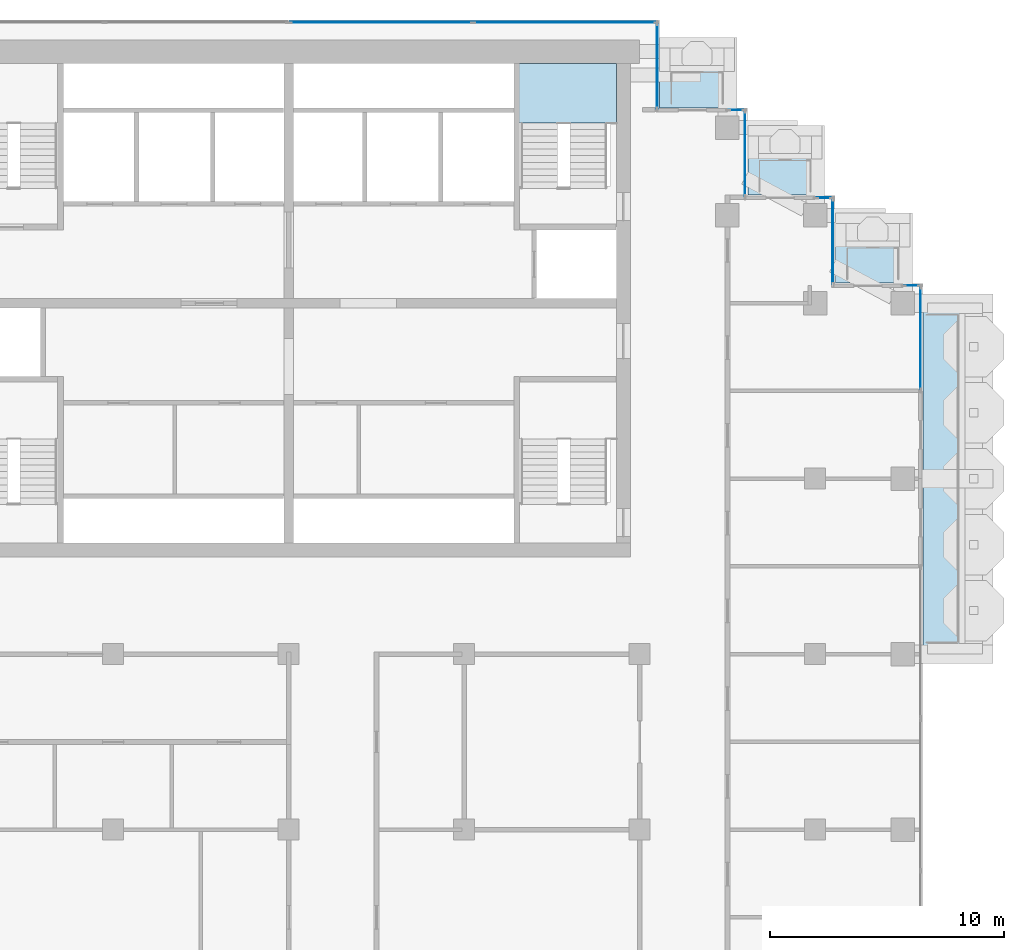
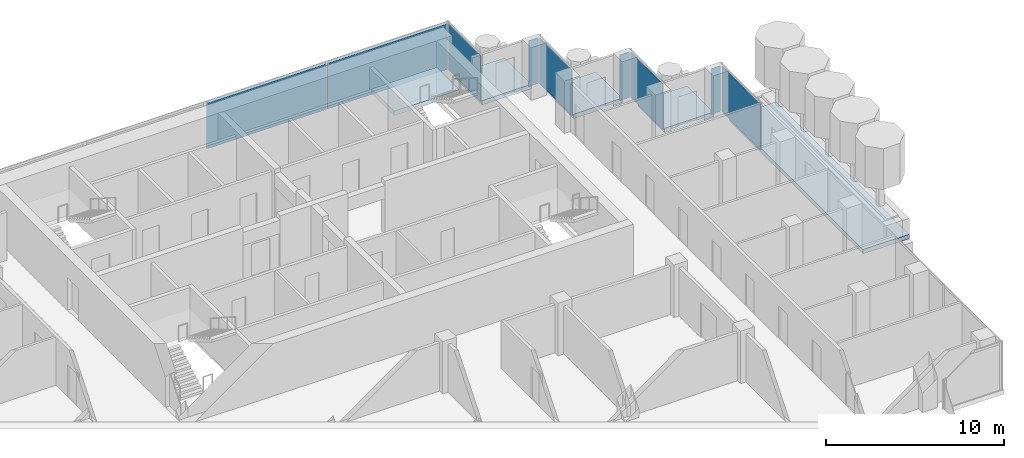
# One storey, part 10 of 19: 9 plates, 5 slabs, 9 elements without a shape of their own.
"""IFC4 building model written with IfcOpenShell, lengths in metres."""

from ifc_helpers import new_model, si_unit, direction, frame, origin, origin_2d, place, context, subcontext, project, spatial, polyline, rectangle, outline, extrude, material, layer, layer_set, type_object, element, aggregate, save


model = new_model("IFC4")

# Units and contexts
model_context = context("Model", 3, precision=1e-05, world=origin(), true_north=direction((0.0, 1.0)))
body_context = subcontext(model_context, "Body", "Model", "MODEL_VIEW")
ifc_project = project(units=[si_unit("LENGTHUNIT", "METRE"), si_unit("AREAUNIT", "SQUARE_METRE"), si_unit("VOLUMEUNIT", "CUBIC_METRE"), si_unit("PLANEANGLEUNIT", "RADIAN"), si_unit("MASSUNIT", "GRAM", prefix="KILO")], contexts=[model_context])

# Site, building, storey
site_placement = place(None, origin())
site = spatial("IfcSite", under=ifc_project, at=site_placement, CompositionType="ELEMENT")
building_placement = place(site_placement, origin())
building = spatial("IfcBuilding", under=site, at=building_placement, Name="Pilkhan Gate Tower", CompositionType="ELEMENT")
storey_placement = place(building_placement, frame((0.0, 0.0, 224.699951171875)))
storey = spatial("IfcBuildingStorey", under=building, at=storey_placement, Name="L58", CompositionType="ELEMENT", Elevation=224.699951171875)

# Slabs
ifc_material_1 = material(Name="Concrete C60/75", Category="concrete")
ifc_layer_1 = layer(ifc_material_1, 0.300048828125)
ifc_layer_set_1 = layer_set([ifc_layer_1], Name="Balcony tray slab TR300")
slab_type_1 = type_object("IfcSlabType", Name="Balcony tray slab TR300", PredefinedType="FLOOR", material=ifc_layer_set_1)
slab_1_placement = place(storey_placement, frame((0.0, 0.0, -0.300048828125)))
element("IfcSlab", 1, at=slab_1_placement, inside=storey, type_object=slab_type_1, Name="Balcony tray L58 E", PredefinedType="FLOOR", context=body_context, shape_type="SweptSolid", body=[
    extrude(outline(polyline([(105.10009765625, 67.5), (105.10009765625, 82.5), (102.10009765625, 82.5), (102.10009765625, 67.5), (105.10009765625, 67.5)])), origin(), (0.0, 0.0, 1.0), 0.300048828125),
])
slab_2_placement = place(storey_placement, frame((0.0, 0.0, -0.300048828125)))
element("IfcSlab", 2, at=slab_2_placement, inside=storey, type_object=slab_type_1, Name="Balcony tray L58 N", PredefinedType="FLOOR", context=body_context, shape_type="SweptSolid", body=[
    extrude(outline(polyline([(94.050048828125, 90.85009765625), (94.050048828125, 93.85009765625), (90.85009765625, 93.85009765625), (90.85009765625, 90.85009765625), (94.050048828125, 90.85009765625)])), origin(), (0.0, 0.0, 1.0), 0.300048828125),
])
slab_3_placement = place(storey_placement, frame((0.0, 0.0, -0.300048828125)))
element("IfcSlab", 3, at=slab_3_placement, inside=storey, type_object=slab_type_1, Name="Balcony tray L58 N", PredefinedType="FLOOR", context=body_context, shape_type="SweptSolid", body=[
    extrude(outline(polyline([(97.800048828125, 87.1201171875), (97.800048828125, 90.10009765625), (94.6201171875, 90.10009765625), (94.6201171875, 87.1201171875), (97.800048828125, 87.1201171875)])), origin(), (0.0, 0.0, 1.0), 0.300048828125),
])
slab_4_placement = place(storey_placement, frame((0.0, 0.0, -0.300048828125)))
element("IfcSlab", 4, at=slab_4_placement, inside=storey, type_object=slab_type_1, Name="Balcony tray L58 N", PredefinedType="FLOOR", context=body_context, shape_type="SweptSolid", body=[
    extrude(outline(polyline([(101.550048828125, 83.3701171875), (101.550048828125, 86.35009765625), (98.3701171875, 86.35009765625), (98.3701171875, 83.3701171875), (101.550048828125, 83.3701171875)])), origin(), (0.0, 0.0, 1.0), 0.300048828125),
])

# Curtain wall, plate
ifc_material_2 = material(Name="Pale anodised aluminium, clear low-iron double glazing", Category="aluminium")
curtain_wall_type = type_object("IfcCurtainWallType", Name="Office unitised curtain wall CW-O2", PredefinedType="USERDEFINED", material=ifc_material_2)
curtain_wall_1_placement = place(storey_placement, origin())
curtain_wall_1 = element("IfcCurtainWall", 5, at=curtain_wall_1_placement, inside=storey, type_object=curtain_wall_type, Name="Office unitised curtain wall CW-O2 L58 E", ObjectType="UNITISED CURTAIN WALL", PredefinedType="USERDEFINED")
ifc_material_3 = material(Name="Clear low-iron double glazing", Category="glass")
ifc_layer_2 = layer(ifc_material_3, 0.031982421875)
ifc_layer_set_2 = layer_set([ifc_layer_2], Name="Glass panel CW-O2 32")
plate_type = type_object("IfcPlateType", Name="Glass panel CW-O2 32", PredefinedType="CURTAIN_PANEL", material=ifc_layer_set_2)
plate_1_placement = place(storey_placement, frame((102.0, 81.0, 0.0), z_axis=(0.0, 0.0, 1.0), x_axis=(0.0, 1.0, 0.0)))
plate_1 = element("IfcPlate", 6, at=plate_1_placement, type_object=plate_type, Name="CW-O2 panel 1", PredefinedType="CURTAIN_PANEL", context=body_context, shape_type="SweptSolid", body=[
    extrude(rectangle(XDim=4.3701171875, YDim=0.031982421875, at=origin_2d()), origin(), (0.0, 0.0, 1.0), 3.135009765625),
])
aggregate(curtain_wall_1, [plate_1])

curtain_wall_2_placement = place(storey_placement, origin())
curtain_wall_2 = element("IfcCurtainWall", 7, at=curtain_wall_2_placement, inside=storey, type_object=curtain_wall_type, Name="Office unitised curtain wall CW-O2 L58 N", ObjectType="UNITISED CURTAIN WALL", PredefinedType="USERDEFINED")
plate_2_placement = place(storey_placement, frame((101.625, 83.25, 0.0), z_axis=(0.0, 0.0, 1.0), x_axis=(1.0, 0.0, 0.0)))
plate_2 = element("IfcPlate", 8, at=plate_2_placement, type_object=plate_type, Name="CW-O2 panel 1", PredefinedType="CURTAIN_PANEL", context=body_context, shape_type="SweptSolid", body=[
    extrude(rectangle(XDim=0.6201171875, YDim=0.031982421875, at=origin_2d()), origin(), (0.0, 0.0, 1.0), 3.135009765625),
])
aggregate(curtain_wall_2, [plate_2])

curtain_wall_3_placement = place(storey_placement, origin())
curtain_wall_3 = element("IfcCurtainWall", 9, at=curtain_wall_3_placement, inside=storey, type_object=curtain_wall_type, Name="Office unitised curtain wall CW-O2 L58 E", ObjectType="UNITISED CURTAIN WALL", PredefinedType="USERDEFINED")
plate_3_placement = place(storey_placement, frame((98.25, 85.125, 0.0), z_axis=(0.0, 0.0, 1.0), x_axis=(0.0, 1.0, 0.0)))
plate_3 = element("IfcPlate", 10, at=plate_3_placement, type_object=plate_type, Name="CW-O2 panel 1", PredefinedType="CURTAIN_PANEL", context=body_context, shape_type="SweptSolid", body=[
    extrude(rectangle(XDim=3.6201171875, YDim=0.031982421875, at=origin_2d()), origin(), (0.0, 0.0, 1.0), 3.135009765625),
])
aggregate(curtain_wall_3, [plate_3])

curtain_wall_4_placement = place(storey_placement, origin())
curtain_wall_4 = element("IfcCurtainWall", 11, at=curtain_wall_4_placement, inside=storey, type_object=curtain_wall_type, Name="Office unitised curtain wall CW-O2 L58 N", ObjectType="UNITISED CURTAIN WALL", PredefinedType="USERDEFINED")
plate_4_placement = place(storey_placement, frame((97.875, 87.0, 0.0), z_axis=(0.0, 0.0, 1.0), x_axis=(1.0, 0.0, 0.0)))
plate_4 = element("IfcPlate", 12, at=plate_4_placement, type_object=plate_type, Name="CW-O2 panel 1", PredefinedType="CURTAIN_PANEL", context=body_context, shape_type="SweptSolid", body=[
    extrude(rectangle(XDim=0.6201171875, YDim=0.031982421875, at=origin_2d()), origin(), (0.0, 0.0, 1.0), 3.135009765625),
])
aggregate(curtain_wall_4, [plate_4])

curtain_wall_5_placement = place(storey_placement, origin())
curtain_wall_5 = element("IfcCurtainWall", 13, at=curtain_wall_5_placement, inside=storey, type_object=curtain_wall_type, Name="Office unitised curtain wall CW-O2 L58 E", ObjectType="UNITISED CURTAIN WALL", PredefinedType="USERDEFINED")
plate_5_placement = place(storey_placement, frame((94.5, 88.875, 0.0), z_axis=(0.0, 0.0, 1.0), x_axis=(0.0, 1.0, 0.0)))
plate_5 = element("IfcPlate", 14, at=plate_5_placement, type_object=plate_type, Name="CW-O2 panel 1", PredefinedType="CURTAIN_PANEL", context=body_context, shape_type="SweptSolid", body=[
    extrude(rectangle(XDim=3.6201171875, YDim=0.031982421875, at=origin_2d()), origin(), (0.0, 0.0, 1.0), 3.135009765625),
])
aggregate(curtain_wall_5, [plate_5])

curtain_wall_6_placement = place(storey_placement, origin())
curtain_wall_6 = element("IfcCurtainWall", 15, at=curtain_wall_6_placement, inside=storey, type_object=curtain_wall_type, Name="Office unitised curtain wall CW-O2 L58 N", ObjectType="UNITISED CURTAIN WALL", PredefinedType="USERDEFINED")
plate_6_placement = place(storey_placement, frame((94.125, 90.75, 0.0), z_axis=(0.0, 0.0, 1.0), x_axis=(1.0, 0.0, 0.0)))
plate_6 = element("IfcPlate", 16, at=plate_6_placement, type_object=plate_type, Name="CW-O2 panel 1", PredefinedType="CURTAIN_PANEL", context=body_context, shape_type="SweptSolid", body=[
    extrude(rectangle(XDim=0.6201171875, YDim=0.031982421875, at=origin_2d()), origin(), (0.0, 0.0, 1.0), 3.135009765625),
])
aggregate(curtain_wall_6, [plate_6])

curtain_wall_7_placement = place(storey_placement, origin())
curtain_wall_7 = element("IfcCurtainWall", 17, at=curtain_wall_7_placement, inside=storey, type_object=curtain_wall_type, Name="Office unitised curtain wall CW-O2 L58 E", ObjectType="UNITISED CURTAIN WALL", PredefinedType="USERDEFINED")
plate_7_placement = place(storey_placement, frame((90.75, 92.625, 0.0), z_axis=(0.0, 0.0, 1.0), x_axis=(0.0, 1.0, 0.0)))
plate_7 = element("IfcPlate", 18, at=plate_7_placement, type_object=plate_type, Name="CW-O2 panel 1", PredefinedType="CURTAIN_PANEL", context=body_context, shape_type="SweptSolid", body=[
    extrude(rectangle(XDim=3.6201171875, YDim=0.031982421875, at=origin_2d()), origin(), (0.0, 0.0, 1.0), 3.135009765625),
])
aggregate(curtain_wall_7, [plate_7])

# Curtain wall, plates
curtain_wall_8_placement = place(storey_placement, origin())
curtain_wall_8 = element("IfcCurtainWall", 19, at=curtain_wall_8_placement, inside=storey, type_object=curtain_wall_type, Name="Office unitised curtain wall CW-O2 L58 N", ObjectType="UNITISED CURTAIN WALL", PredefinedType="USERDEFINED")
plate_8_placement = place(storey_placement, frame((78.953857421875, 94.5, 0.0), z_axis=(0.0, 0.0, 1.0), x_axis=(1.0, 0.0, 0.0)))
plate_8 = element("IfcPlate", 20, at=plate_8_placement, type_object=plate_type, Name="CW-O2 panel 1", PredefinedType="CURTAIN_PANEL", context=body_context, shape_type="SweptSolid", body=[
    extrude(rectangle(XDim=7.777587890625, YDim=0.031982421875, at=origin_2d()), origin(), (0.0, 0.0, 1.0), 3.135009765625),
])
plate_9_placement = place(storey_placement, frame((86.796142578125, 94.5, 0.0), z_axis=(0.0, 0.0, 1.0), x_axis=(1.0, 0.0, 0.0)))
plate_9 = element("IfcPlate", 21, at=plate_9_placement, type_object=plate_type, Name="CW-O2 panel 2", PredefinedType="CURTAIN_PANEL", context=body_context, shape_type="SweptSolid", body=[
    extrude(rectangle(XDim=7.777587890625, YDim=0.031982421875, at=origin_2d()), origin(), (0.0, 0.0, 1.0), 3.135009765625),
])
aggregate(curtain_wall_8, [plate_8, plate_9])

# Stair, slab
ifc_material_4 = material(Name="Concrete C40/50 precast", Category="concrete")
stair_type = type_object("IfcStairType", Name="Stair ST4 164x280", PredefinedType="HALF_TURN_STAIR", material=ifc_material_4)
stair_placement = place(storey_placement, origin())
stair = element("IfcStair", 22, at=stair_placement, inside=storey, type_object=stair_type, Name="Stair ST4 L58", PredefinedType="HALF_TURN_STAIR")
ifc_material_5 = material(Name="Concrete C40/50", Category="concrete")
ifc_layer_3 = layer(ifc_material_5, 0.199951171875)
ifc_layer_set_3 = layer_set([ifc_layer_3], Name="Stair landing SL200")
slab_type_2 = type_object("IfcSlabType", Name="Stair landing SL200", PredefinedType="LANDING", material=ifc_layer_set_3)
slab_5_placement = place(storey_placement, frame((0.0, 0.0, 1.5)))
slab_5 = element("IfcSlab", 23, at=slab_5_placement, type_object=slab_type_2, Name="ST4 landing 1", PredefinedType="LANDING", context=body_context, shape_type="SweptSolid", body=[
    extrude(outline(polyline([(89.0, 90.199951171875), (89.0, 92.75), (84.75, 92.75), (84.75, 90.199951171875), (89.0, 90.199951171875)])), origin(), (0.0, 0.0, 1.0), 0.300048828125),
])
aggregate(stair, [slab_5])

save(model, "model.ifc")
